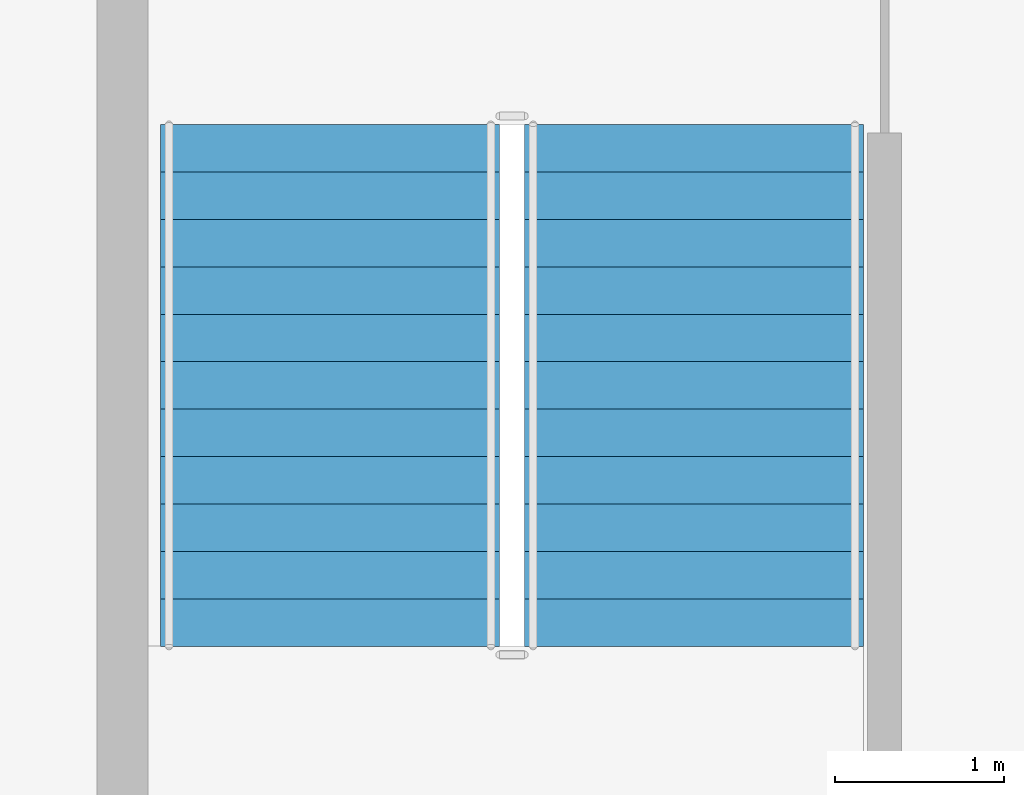
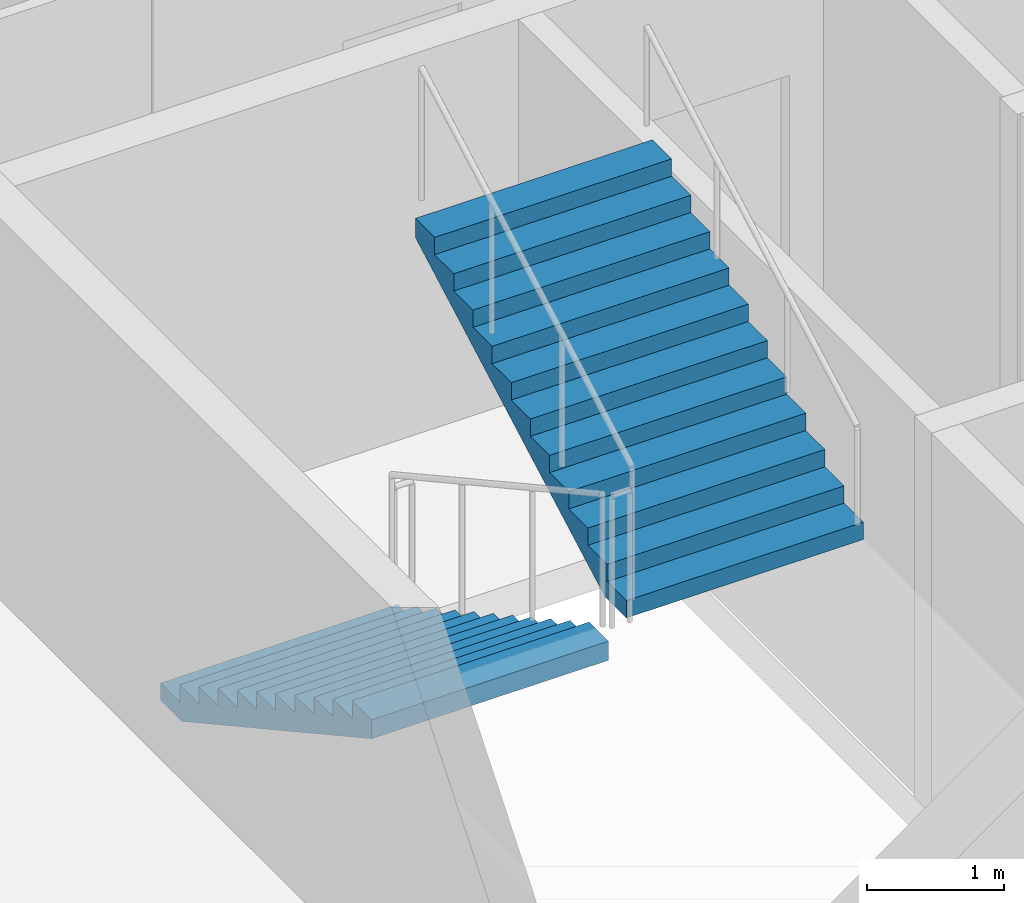
# One storey, part 7 of 11: 2 stair flights, 1 element without a shape of its own.
"""IFC4 building model written with IfcOpenShell, lengths in metres."""

from ifc_helpers import new_model, si_unit, direction, frame, origin, place, context, subcontext, project, spatial, polygons, material, type_object, element, aggregate, save


model = new_model("IFC4")

# Units and contexts
model_context = context("Model", 3, precision=1e-05, world=origin(), true_north=direction((0.0, 1.0)))
body_context = subcontext(model_context, "Body", "Model", "MODEL_VIEW")
ifc_project = project(units=[si_unit("LENGTHUNIT", "METRE"), si_unit("AREAUNIT", "SQUARE_METRE"), si_unit("VOLUMEUNIT", "CUBIC_METRE"), si_unit("PLANEANGLEUNIT", "RADIAN"), si_unit("MASSUNIT", "GRAM", prefix="KILO")], contexts=[model_context])

# Site, building, storey
site_placement = place(None, origin())
site = spatial("IfcSite", under=ifc_project, at=site_placement, CompositionType="ELEMENT")
building_placement = place(site_placement, origin())
building = spatial("IfcBuilding", under=site, at=building_placement, Name="Caravel Reach Hotel and Residences", CompositionType="ELEMENT")
storey_placement = place(building_placement, frame((0.0, 0.0, 287.10009765625)))
storey = spatial("IfcBuildingStorey", under=building, at=storey_placement, Name="L73", CompositionType="ELEMENT", Elevation=287.10009765625)

# Stair, stair flights
ifc_material_1 = material(Name="Concrete C40", Category="concrete")
stair_type = type_object("IfcStairType", Name="Core stair", PredefinedType="HALF_TURN_STAIR", material=ifc_material_1)
stair_placement = place(storey_placement, origin())
stair = element("IfcStair", 1, at=stair_placement, inside=storey, type_object=stair_type, Name="L73 Exit stair A", PredefinedType="HALF_TURN_STAIR")
ifc_material_2 = material(Name="Concrete C40", Category="concrete")
stair_flight_type = type_object("IfcStairFlightType", Name="Core stair flight", PredefinedType="STRAIGHT", material=ifc_material_2)
stair_flight_1_placement = place(storey_placement, frame((19.22509765625, 29.35009765625, 0.0), z_axis=(0.0, 0.0, 1.0), x_axis=(0.0, -1.0, 0.0)))
stair_flight_1 = element("IfcStairFlight", 2, at=stair_flight_1_placement, type_object=stair_flight_type, Name="ST-A flight 1", NumberOfRisers=12, NumberOfTreads=11, PredefinedType="STRAIGHT", RiserHeight=0.154166667, TreadLength=0.28, context=body_context, shape_type="Tessellation", body=[
    polygons([(0.3107950034306102, 1.0, 0.0), (0.3107950034306102, 0.6666666666666667, 0.0), (0.3107950034306102, 0.33333333333333337, 0.0), (0.3107950034306102, 0.0, 0.0), (0.3107950034306102, -0.33333333333333326, 0.0), (0.3107950034306102, -0.6666666666666667, 0.0), (0.3107950034306102, -1.0, 0.0), (3.081, 1.0, 1.524711087717319), (3.081, 0.6666666666666667, 1.524711087717319), (3.081, 0.33333333333333337, 1.524711087717319), (3.081, 0.0, 1.524711087717319), (3.081, -0.33333333333333326, 1.524711087717319), (3.081, -0.6666666666666667, 1.524711087717319), (3.081, -1.0, 1.524711087717319), (3.081, 1.0, 1.695833337), (3.081, 0.6666666666666667, 1.695833337), (3.081, 0.33333333333333337, 1.695833337), (3.081, 0.0, 1.695833337), (3.081, -0.33333333333333326, 1.695833337), (3.081, -0.6666666666666667, 1.695833337), (3.081, -1.0, 1.695833337), (2.8000000000000003, 1.0, 1.695833337), (2.8000000000000003, 0.6666666666666667, 1.695833337), (2.8000000000000003, 0.33333333333333337, 1.695833337), (2.8000000000000003, 0.0, 1.695833337), (2.8000000000000003, -0.33333333333333326, 1.695833337), (2.8000000000000003, -0.6666666666666667, 1.695833337), (2.8000000000000003, -1.0, 1.695833337), (2.8000000000000003, 1.0, 1.5416666700000001), (2.8000000000000003, 0.6666666666666667, 1.5416666700000001), (2.8000000000000003, 0.33333333333333337, 1.5416666700000001), (2.8000000000000003, 0.0, 1.5416666700000001), (2.8000000000000003, -0.33333333333333326, 1.5416666700000001), (2.8000000000000003, -0.6666666666666667, 1.5416666700000001), (2.8000000000000003, -1.0, 1.5416666700000001), (2.5200000000000005, 1.0, 1.5416666700000001), (2.5200000000000005, 0.6666666666666667, 1.5416666700000001), (2.5200000000000005, 0.33333333333333337, 1.5416666700000001), (2.5200000000000005, 0.0, 1.5416666700000001), (2.5200000000000005, -0.33333333333333326, 1.5416666700000001), (2.5200000000000005, -0.6666666666666667, 1.5416666700000001), (2.5200000000000005, -1.0, 1.5416666700000001), (2.5200000000000005, 1.0, 1.387500003), (2.5200000000000005, 0.6666666666666667, 1.387500003), (2.5200000000000005, 0.33333333333333337, 1.387500003), (2.5200000000000005, 0.0, 1.387500003), (2.5200000000000005, -0.33333333333333326, 1.387500003), (2.5200000000000005, -0.6666666666666667, 1.387500003), (2.5200000000000005, -1.0, 1.387500003), (2.24, 1.0, 1.387500003), (2.24, 0.6666666666666667, 1.387500003), (2.24, 0.33333333333333337, 1.387500003), (2.24, 0.0, 1.387500003), (2.24, -0.33333333333333326, 1.387500003), (2.24, -0.6666666666666667, 1.387500003), (2.24, -1.0, 1.387500003), (2.24, 1.0, 1.233333336), (2.24, 0.6666666666666667, 1.233333336), (2.24, 0.33333333333333337, 1.233333336), (2.24, 0.0, 1.233333336), (2.24, -0.33333333333333326, 1.233333336), (2.24, -0.6666666666666667, 1.233333336), (2.24, -1.0, 1.233333336), (1.9600000000000002, 1.0, 1.233333336), (1.9600000000000002, 0.6666666666666667, 1.233333336), (1.9600000000000002, 0.33333333333333337, 1.233333336), (1.9600000000000002, 0.0, 1.233333336), (1.9600000000000002, -0.33333333333333326, 1.233333336), (1.9600000000000002, -0.6666666666666667, 1.233333336), (1.9600000000000002, -1.0, 1.233333336), (1.9600000000000002, 1.0, 1.0791666690000001), (1.9600000000000002, 0.6666666666666667, 1.0791666690000001), (1.9600000000000002, 0.33333333333333337, 1.0791666690000001), (1.9600000000000002, 0.0, 1.0791666690000001), (1.9600000000000002, -0.33333333333333326, 1.0791666690000001), (1.9600000000000002, -0.6666666666666667, 1.0791666690000001), (1.9600000000000002, -1.0, 1.0791666690000001), (1.6800000000000002, 1.0, 1.0791666690000001), (1.6800000000000002, 0.6666666666666667, 1.0791666690000001), (1.6800000000000002, 0.33333333333333337, 1.0791666690000001), (1.6800000000000002, 0.0, 1.0791666690000001), (1.6800000000000002, -0.33333333333333326, 1.0791666690000001), (1.6800000000000002, -0.6666666666666667, 1.0791666690000001), (1.6800000000000002, -1.0, 1.0791666690000001), (1.6800000000000002, 1.0, 0.925000002), (1.6800000000000002, 0.6666666666666667, 0.925000002), (1.6800000000000002, 0.33333333333333337, 0.925000002), (1.6800000000000002, 0.0, 0.925000002), (1.6800000000000002, -0.33333333333333326, 0.925000002), (1.6800000000000002, -0.6666666666666667, 0.925000002), (1.6800000000000002, -1.0, 0.925000002), (1.4000000000000001, 1.0, 0.925000002), (1.4000000000000001, 0.6666666666666667, 0.925000002), (1.4000000000000001, 0.33333333333333337, 0.925000002), (1.4000000000000001, 0.0, 0.925000002), (1.4000000000000001, -0.33333333333333326, 0.925000002), (1.4000000000000001, -0.6666666666666667, 0.925000002), (1.4000000000000001, -1.0, 0.925000002), (1.4000000000000001, 1.0, 0.7708333350000001), (1.4000000000000001, 0.6666666666666667, 0.7708333350000001), (1.4000000000000001, 0.33333333333333337, 0.7708333350000001), (1.4000000000000001, 0.0, 0.7708333350000001), (1.4000000000000001, -0.33333333333333326, 0.7708333350000001), (1.4000000000000001, -0.6666666666666667, 0.7708333350000001), (1.4000000000000001, -1.0, 0.7708333350000001), (1.12, 1.0, 0.7708333350000001), (1.12, 0.6666666666666667, 0.7708333350000001), (1.12, 0.33333333333333337, 0.7708333350000001), (1.12, 0.0, 0.7708333350000001), (1.12, -0.33333333333333326, 0.7708333350000001), (1.12, -0.6666666666666667, 0.7708333350000001), (1.12, -1.0, 0.7708333350000001), (1.12, 1.0, 0.616666668), (1.12, 0.6666666666666667, 0.616666668), (1.12, 0.33333333333333337, 0.616666668), (1.12, 0.0, 0.616666668), (1.12, -0.33333333333333326, 0.616666668), (1.12, -0.6666666666666667, 0.616666668), (1.12, -1.0, 0.616666668), (0.8400000000000001, 1.0, 0.616666668), (0.8400000000000001, 0.6666666666666667, 0.616666668), (0.8400000000000001, 0.33333333333333337, 0.616666668), (0.8400000000000001, 0.0, 0.616666668), (0.8400000000000001, -0.33333333333333326, 0.616666668), (0.8400000000000001, -0.6666666666666667, 0.616666668), (0.8400000000000001, -1.0, 0.616666668), (0.8400000000000001, 1.0, 0.462500001), (0.8400000000000001, 0.6666666666666667, 0.462500001), (0.8400000000000001, 0.33333333333333337, 0.462500001), (0.8400000000000001, 0.0, 0.462500001), (0.8400000000000001, -0.33333333333333326, 0.462500001), (0.8400000000000001, -0.6666666666666667, 0.462500001), (0.8400000000000001, -1.0, 0.462500001), (0.56, 1.0, 0.462500001), (0.56, 0.6666666666666667, 0.462500001), (0.56, 0.33333333333333337, 0.462500001), (0.56, 0.0, 0.462500001), (0.56, -0.33333333333333326, 0.462500001), (0.56, -0.6666666666666667, 0.462500001), (0.56, -1.0, 0.462500001), (0.56, 1.0, 0.308333334), (0.56, 0.6666666666666667, 0.308333334), (0.56, 0.33333333333333337, 0.308333334), (0.56, 0.0, 0.308333334), (0.56, -0.33333333333333326, 0.308333334), (0.56, -0.6666666666666667, 0.308333334), (0.56, -1.0, 0.308333334), (0.28, 1.0, 0.308333334), (0.28, 0.6666666666666667, 0.308333334), (0.28, 0.33333333333333337, 0.308333334), (0.28, 0.0, 0.308333334), (0.28, -0.33333333333333326, 0.308333334), (0.28, -0.6666666666666667, 0.308333334), (0.28, -1.0, 0.308333334), (0.28, 1.0, 0.154166667), (0.28, 0.6666666666666667, 0.154166667), (0.28, 0.33333333333333337, 0.154166667), (0.28, 0.0, 0.154166667), (0.28, -0.33333333333333326, 0.154166667), (0.28, -0.6666666666666667, 0.154166667), (0.28, -1.0, 0.154166667), (-0.001, 1.0, 0.154166667), (-0.001, 0.6666666666666667, 0.154166667), (-0.001, 0.33333333333333337, 0.154166667), (-0.001, 0.0, 0.154166667), (-0.001, -0.33333333333333326, 0.154166667), (-0.001, -0.6666666666666667, 0.154166667), (-0.001, -1.0, 0.154166667), (-0.001, 1.0, 0.0), (-0.001, 0.6666666666666667, 0.0), (-0.001, 0.33333333333333337, 0.0), (-0.001, 0.0, 0.0), (-0.001, -0.33333333333333326, 0.0), (-0.001, -0.6666666666666667, 0.0), (-0.001, -1.0, 0.0)], [[[169, 162, 155, 148, 141, 134, 127, 120, 113, 106, 99, 92, 85, 78, 71, 64, 57, 50, 43, 36, 29, 22, 15, 8, 1]], [[7, 14, 21, 28, 35, 42, 49, 56, 63, 70, 77, 84, 91, 98, 105, 112, 119, 126, 133, 140, 147, 154, 161, 168, 175]], [[1, 8, 9, 2]], [[2, 9, 10, 3]], [[3, 10, 11, 4]], [[4, 11, 12, 5]], [[5, 12, 13, 6]], [[6, 13, 14, 7]], [[8, 15, 16, 9]], [[9, 16, 17, 10]], [[10, 17, 18, 11]], [[11, 18, 19, 12]], [[12, 19, 20, 13]], [[13, 20, 21, 14]], [[15, 22, 23, 16]], [[16, 23, 24, 17]], [[17, 24, 25, 18]], [[18, 25, 26, 19]], [[19, 26, 27, 20]], [[20, 27, 28, 21]], [[22, 29, 30, 23]], [[23, 30, 31, 24]], [[24, 31, 32, 25]], [[25, 32, 33, 26]], [[26, 33, 34, 27]], [[27, 34, 35, 28]], [[29, 36, 37, 30]], [[30, 37, 38, 31]], [[31, 38, 39, 32]], [[32, 39, 40, 33]], [[33, 40, 41, 34]], [[34, 41, 42, 35]], [[36, 43, 44, 37]], [[37, 44, 45, 38]], [[38, 45, 46, 39]], [[39, 46, 47, 40]], [[40, 47, 48, 41]], [[41, 48, 49, 42]], [[43, 50, 51, 44]], [[44, 51, 52, 45]], [[45, 52, 53, 46]], [[46, 53, 54, 47]], [[47, 54, 55, 48]], [[48, 55, 56, 49]], [[50, 57, 58, 51]], [[51, 58, 59, 52]], [[52, 59, 60, 53]], [[53, 60, 61, 54]], [[54, 61, 62, 55]], [[55, 62, 63, 56]], [[57, 64, 65, 58]], [[58, 65, 66, 59]], [[59, 66, 67, 60]], [[60, 67, 68, 61]], [[61, 68, 69, 62]], [[62, 69, 70, 63]], [[64, 71, 72, 65]], [[65, 72, 73, 66]], [[66, 73, 74, 67]], [[67, 74, 75, 68]], [[68, 75, 76, 69]], [[69, 76, 77, 70]], [[71, 78, 79, 72]], [[72, 79, 80, 73]], [[73, 80, 81, 74]], [[74, 81, 82, 75]], [[75, 82, 83, 76]], [[76, 83, 84, 77]], [[78, 85, 86, 79]], [[79, 86, 87, 80]], [[80, 87, 88, 81]], [[81, 88, 89, 82]], [[82, 89, 90, 83]], [[83, 90, 91, 84]], [[85, 92, 93, 86]], [[86, 93, 94, 87]], [[87, 94, 95, 88]], [[88, 95, 96, 89]], [[89, 96, 97, 90]], [[90, 97, 98, 91]], [[92, 99, 100, 93]], [[93, 100, 101, 94]], [[94, 101, 102, 95]], [[95, 102, 103, 96]], [[96, 103, 104, 97]], [[97, 104, 105, 98]], [[99, 106, 107, 100]], [[100, 107, 108, 101]], [[101, 108, 109, 102]], [[102, 109, 110, 103]], [[103, 110, 111, 104]], [[104, 111, 112, 105]], [[106, 113, 114, 107]], [[107, 114, 115, 108]], [[108, 115, 116, 109]], [[109, 116, 117, 110]], [[110, 117, 118, 111]], [[111, 118, 119, 112]], [[113, 120, 121, 114]], [[114, 121, 122, 115]], [[115, 122, 123, 116]], [[116, 123, 124, 117]], [[117, 124, 125, 118]], [[118, 125, 126, 119]], [[120, 127, 128, 121]], [[121, 128, 129, 122]], [[122, 129, 130, 123]], [[123, 130, 131, 124]], [[124, 131, 132, 125]], [[125, 132, 133, 126]], [[127, 134, 135, 128]], [[128, 135, 136, 129]], [[129, 136, 137, 130]], [[130, 137, 138, 131]], [[131, 138, 139, 132]], [[132, 139, 140, 133]], [[134, 141, 142, 135]], [[135, 142, 143, 136]], [[136, 143, 144, 137]], [[137, 144, 145, 138]], [[138, 145, 146, 139]], [[139, 146, 147, 140]], [[141, 148, 149, 142]], [[142, 149, 150, 143]], [[143, 150, 151, 144]], [[144, 151, 152, 145]], [[145, 152, 153, 146]], [[146, 153, 154, 147]], [[148, 155, 156, 149]], [[149, 156, 157, 150]], [[150, 157, 158, 151]], [[151, 158, 159, 152]], [[152, 159, 160, 153]], [[153, 160, 161, 154]], [[155, 162, 163, 156]], [[156, 163, 164, 157]], [[157, 164, 165, 158]], [[158, 165, 166, 159]], [[159, 166, 167, 160]], [[160, 167, 168, 161]], [[162, 169, 170, 163]], [[163, 170, 171, 164]], [[164, 171, 172, 165]], [[165, 172, 173, 166]], [[166, 173, 174, 167]], [[167, 174, 175, 168]], [[169, 1, 2, 170]], [[170, 2, 3, 171]], [[171, 3, 4, 172]], [[172, 4, 5, 173]], [[173, 5, 6, 174]], [[174, 6, 7, 175]]], closed=True),
])
stair_flight_2_placement = place(storey_placement, frame((21.375, 26.27001953125, 1.849853515625), z_axis=(0.0, 0.0, 1.0), x_axis=(0.0, 1.0, 0.0)))
stair_flight_2 = element("IfcStairFlight", 3, at=stair_flight_2_placement, type_object=stair_flight_type, Name="ST-A flight 2", NumberOfRisers=12, NumberOfTreads=11, PredefinedType="STRAIGHT", RiserHeight=0.154166667, TreadLength=0.28, context=body_context, shape_type="Tessellation", body=[
    polygons([(0.3107950034306102, 1.0, 0.0), (0.3107950034306102, 0.6666666666666667, 0.0), (0.3107950034306102, 0.33333333333333337, 0.0), (0.3107950034306102, 0.0, 0.0), (0.3107950034306102, -0.33333333333333326, 0.0), (0.3107950034306102, -0.6666666666666667, 0.0), (0.3107950034306102, -1.0, 0.0), (3.081, 1.0, 1.524711087717319), (3.081, 0.6666666666666667, 1.524711087717319), (3.081, 0.33333333333333337, 1.524711087717319), (3.081, 0.0, 1.524711087717319), (3.081, -0.33333333333333326, 1.524711087717319), (3.081, -0.6666666666666667, 1.524711087717319), (3.081, -1.0, 1.524711087717319), (3.081, 1.0, 1.695833337), (3.081, 0.6666666666666667, 1.695833337), (3.081, 0.33333333333333337, 1.695833337), (3.081, 0.0, 1.695833337), (3.081, -0.33333333333333326, 1.695833337), (3.081, -0.6666666666666667, 1.695833337), (3.081, -1.0, 1.695833337), (2.8000000000000003, 1.0, 1.695833337), (2.8000000000000003, 0.6666666666666667, 1.695833337), (2.8000000000000003, 0.33333333333333337, 1.695833337), (2.8000000000000003, 0.0, 1.695833337), (2.8000000000000003, -0.33333333333333326, 1.695833337), (2.8000000000000003, -0.6666666666666667, 1.695833337), (2.8000000000000003, -1.0, 1.695833337), (2.8000000000000003, 1.0, 1.5416666700000001), (2.8000000000000003, 0.6666666666666667, 1.5416666700000001), (2.8000000000000003, 0.33333333333333337, 1.5416666700000001), (2.8000000000000003, 0.0, 1.5416666700000001), (2.8000000000000003, -0.33333333333333326, 1.5416666700000001), (2.8000000000000003, -0.6666666666666667, 1.5416666700000001), (2.8000000000000003, -1.0, 1.5416666700000001), (2.5200000000000005, 1.0, 1.5416666700000001), (2.5200000000000005, 0.6666666666666667, 1.5416666700000001), (2.5200000000000005, 0.33333333333333337, 1.5416666700000001), (2.5200000000000005, 0.0, 1.5416666700000001), (2.5200000000000005, -0.33333333333333326, 1.5416666700000001), (2.5200000000000005, -0.6666666666666667, 1.5416666700000001), (2.5200000000000005, -1.0, 1.5416666700000001), (2.5200000000000005, 1.0, 1.387500003), (2.5200000000000005, 0.6666666666666667, 1.387500003), (2.5200000000000005, 0.33333333333333337, 1.387500003), (2.5200000000000005, 0.0, 1.387500003), (2.5200000000000005, -0.33333333333333326, 1.387500003), (2.5200000000000005, -0.6666666666666667, 1.387500003), (2.5200000000000005, -1.0, 1.387500003), (2.24, 1.0, 1.387500003), (2.24, 0.6666666666666667, 1.387500003), (2.24, 0.33333333333333337, 1.387500003), (2.24, 0.0, 1.387500003), (2.24, -0.33333333333333326, 1.387500003), (2.24, -0.6666666666666667, 1.387500003), (2.24, -1.0, 1.387500003), (2.24, 1.0, 1.233333336), (2.24, 0.6666666666666667, 1.233333336), (2.24, 0.33333333333333337, 1.233333336), (2.24, 0.0, 1.233333336), (2.24, -0.33333333333333326, 1.233333336), (2.24, -0.6666666666666667, 1.233333336), (2.24, -1.0, 1.233333336), (1.9600000000000002, 1.0, 1.233333336), (1.9600000000000002, 0.6666666666666667, 1.233333336), (1.9600000000000002, 0.33333333333333337, 1.233333336), (1.9600000000000002, 0.0, 1.233333336), (1.9600000000000002, -0.33333333333333326, 1.233333336), (1.9600000000000002, -0.6666666666666667, 1.233333336), (1.9600000000000002, -1.0, 1.233333336), (1.9600000000000002, 1.0, 1.0791666690000001), (1.9600000000000002, 0.6666666666666667, 1.0791666690000001), (1.9600000000000002, 0.33333333333333337, 1.0791666690000001), (1.9600000000000002, 0.0, 1.0791666690000001), (1.9600000000000002, -0.33333333333333326, 1.0791666690000001), (1.9600000000000002, -0.6666666666666667, 1.0791666690000001), (1.9600000000000002, -1.0, 1.0791666690000001), (1.6800000000000002, 1.0, 1.0791666690000001), (1.6800000000000002, 0.6666666666666667, 1.0791666690000001), (1.6800000000000002, 0.33333333333333337, 1.0791666690000001), (1.6800000000000002, 0.0, 1.0791666690000001), (1.6800000000000002, -0.33333333333333326, 1.0791666690000001), (1.6800000000000002, -0.6666666666666667, 1.0791666690000001), (1.6800000000000002, -1.0, 1.0791666690000001), (1.6800000000000002, 1.0, 0.925000002), (1.6800000000000002, 0.6666666666666667, 0.925000002), (1.6800000000000002, 0.33333333333333337, 0.925000002), (1.6800000000000002, 0.0, 0.925000002), (1.6800000000000002, -0.33333333333333326, 0.925000002), (1.6800000000000002, -0.6666666666666667, 0.925000002), (1.6800000000000002, -1.0, 0.925000002), (1.4000000000000001, 1.0, 0.925000002), (1.4000000000000001, 0.6666666666666667, 0.925000002), (1.4000000000000001, 0.33333333333333337, 0.925000002), (1.4000000000000001, 0.0, 0.925000002), (1.4000000000000001, -0.33333333333333326, 0.925000002), (1.4000000000000001, -0.6666666666666667, 0.925000002), (1.4000000000000001, -1.0, 0.925000002), (1.4000000000000001, 1.0, 0.7708333350000001), (1.4000000000000001, 0.6666666666666667, 0.7708333350000001), (1.4000000000000001, 0.33333333333333337, 0.7708333350000001), (1.4000000000000001, 0.0, 0.7708333350000001), (1.4000000000000001, -0.33333333333333326, 0.7708333350000001), (1.4000000000000001, -0.6666666666666667, 0.7708333350000001), (1.4000000000000001, -1.0, 0.7708333350000001), (1.12, 1.0, 0.7708333350000001), (1.12, 0.6666666666666667, 0.7708333350000001), (1.12, 0.33333333333333337, 0.7708333350000001), (1.12, 0.0, 0.7708333350000001), (1.12, -0.33333333333333326, 0.7708333350000001), (1.12, -0.6666666666666667, 0.7708333350000001), (1.12, -1.0, 0.7708333350000001), (1.12, 1.0, 0.616666668), (1.12, 0.6666666666666667, 0.616666668), (1.12, 0.33333333333333337, 0.616666668), (1.12, 0.0, 0.616666668), (1.12, -0.33333333333333326, 0.616666668), (1.12, -0.6666666666666667, 0.616666668), (1.12, -1.0, 0.616666668), (0.8400000000000001, 1.0, 0.616666668), (0.8400000000000001, 0.6666666666666667, 0.616666668), (0.8400000000000001, 0.33333333333333337, 0.616666668), (0.8400000000000001, 0.0, 0.616666668), (0.8400000000000001, -0.33333333333333326, 0.616666668), (0.8400000000000001, -0.6666666666666667, 0.616666668), (0.8400000000000001, -1.0, 0.616666668), (0.8400000000000001, 1.0, 0.462500001), (0.8400000000000001, 0.6666666666666667, 0.462500001), (0.8400000000000001, 0.33333333333333337, 0.462500001), (0.8400000000000001, 0.0, 0.462500001), (0.8400000000000001, -0.33333333333333326, 0.462500001), (0.8400000000000001, -0.6666666666666667, 0.462500001), (0.8400000000000001, -1.0, 0.462500001), (0.56, 1.0, 0.462500001), (0.56, 0.6666666666666667, 0.462500001), (0.56, 0.33333333333333337, 0.462500001), (0.56, 0.0, 0.462500001), (0.56, -0.33333333333333326, 0.462500001), (0.56, -0.6666666666666667, 0.462500001), (0.56, -1.0, 0.462500001), (0.56, 1.0, 0.308333334), (0.56, 0.6666666666666667, 0.308333334), (0.56, 0.33333333333333337, 0.308333334), (0.56, 0.0, 0.308333334), (0.56, -0.33333333333333326, 0.308333334), (0.56, -0.6666666666666667, 0.308333334), (0.56, -1.0, 0.308333334), (0.28, 1.0, 0.308333334), (0.28, 0.6666666666666667, 0.308333334), (0.28, 0.33333333333333337, 0.308333334), (0.28, 0.0, 0.308333334), (0.28, -0.33333333333333326, 0.308333334), (0.28, -0.6666666666666667, 0.308333334), (0.28, -1.0, 0.308333334), (0.28, 1.0, 0.154166667), (0.28, 0.6666666666666667, 0.154166667), (0.28, 0.33333333333333337, 0.154166667), (0.28, 0.0, 0.154166667), (0.28, -0.33333333333333326, 0.154166667), (0.28, -0.6666666666666667, 0.154166667), (0.28, -1.0, 0.154166667), (-0.001, 1.0, 0.154166667), (-0.001, 0.6666666666666667, 0.154166667), (-0.001, 0.33333333333333337, 0.154166667), (-0.001, 0.0, 0.154166667), (-0.001, -0.33333333333333326, 0.154166667), (-0.001, -0.6666666666666667, 0.154166667), (-0.001, -1.0, 0.154166667), (-0.001, 1.0, 0.0), (-0.001, 0.6666666666666667, 0.0), (-0.001, 0.33333333333333337, 0.0), (-0.001, 0.0, 0.0), (-0.001, -0.33333333333333326, 0.0), (-0.001, -0.6666666666666667, 0.0), (-0.001, -1.0, 0.0)], [[[169, 162, 155, 148, 141, 134, 127, 120, 113, 106, 99, 92, 85, 78, 71, 64, 57, 50, 43, 36, 29, 22, 15, 8, 1]], [[7, 14, 21, 28, 35, 42, 49, 56, 63, 70, 77, 84, 91, 98, 105, 112, 119, 126, 133, 140, 147, 154, 161, 168, 175]], [[1, 8, 9, 2]], [[2, 9, 10, 3]], [[3, 10, 11, 4]], [[4, 11, 12, 5]], [[5, 12, 13, 6]], [[6, 13, 14, 7]], [[8, 15, 16, 9]], [[9, 16, 17, 10]], [[10, 17, 18, 11]], [[11, 18, 19, 12]], [[12, 19, 20, 13]], [[13, 20, 21, 14]], [[15, 22, 23, 16]], [[16, 23, 24, 17]], [[17, 24, 25, 18]], [[18, 25, 26, 19]], [[19, 26, 27, 20]], [[20, 27, 28, 21]], [[22, 29, 30, 23]], [[23, 30, 31, 24]], [[24, 31, 32, 25]], [[25, 32, 33, 26]], [[26, 33, 34, 27]], [[27, 34, 35, 28]], [[29, 36, 37, 30]], [[30, 37, 38, 31]], [[31, 38, 39, 32]], [[32, 39, 40, 33]], [[33, 40, 41, 34]], [[34, 41, 42, 35]], [[36, 43, 44, 37]], [[37, 44, 45, 38]], [[38, 45, 46, 39]], [[39, 46, 47, 40]], [[40, 47, 48, 41]], [[41, 48, 49, 42]], [[43, 50, 51, 44]], [[44, 51, 52, 45]], [[45, 52, 53, 46]], [[46, 53, 54, 47]], [[47, 54, 55, 48]], [[48, 55, 56, 49]], [[50, 57, 58, 51]], [[51, 58, 59, 52]], [[52, 59, 60, 53]], [[53, 60, 61, 54]], [[54, 61, 62, 55]], [[55, 62, 63, 56]], [[57, 64, 65, 58]], [[58, 65, 66, 59]], [[59, 66, 67, 60]], [[60, 67, 68, 61]], [[61, 68, 69, 62]], [[62, 69, 70, 63]], [[64, 71, 72, 65]], [[65, 72, 73, 66]], [[66, 73, 74, 67]], [[67, 74, 75, 68]], [[68, 75, 76, 69]], [[69, 76, 77, 70]], [[71, 78, 79, 72]], [[72, 79, 80, 73]], [[73, 80, 81, 74]], [[74, 81, 82, 75]], [[75, 82, 83, 76]], [[76, 83, 84, 77]], [[78, 85, 86, 79]], [[79, 86, 87, 80]], [[80, 87, 88, 81]], [[81, 88, 89, 82]], [[82, 89, 90, 83]], [[83, 90, 91, 84]], [[85, 92, 93, 86]], [[86, 93, 94, 87]], [[87, 94, 95, 88]], [[88, 95, 96, 89]], [[89, 96, 97, 90]], [[90, 97, 98, 91]], [[92, 99, 100, 93]], [[93, 100, 101, 94]], [[94, 101, 102, 95]], [[95, 102, 103, 96]], [[96, 103, 104, 97]], [[97, 104, 105, 98]], [[99, 106, 107, 100]], [[100, 107, 108, 101]], [[101, 108, 109, 102]], [[102, 109, 110, 103]], [[103, 110, 111, 104]], [[104, 111, 112, 105]], [[106, 113, 114, 107]], [[107, 114, 115, 108]], [[108, 115, 116, 109]], [[109, 116, 117, 110]], [[110, 117, 118, 111]], [[111, 118, 119, 112]], [[113, 120, 121, 114]], [[114, 121, 122, 115]], [[115, 122, 123, 116]], [[116, 123, 124, 117]], [[117, 124, 125, 118]], [[118, 125, 126, 119]], [[120, 127, 128, 121]], [[121, 128, 129, 122]], [[122, 129, 130, 123]], [[123, 130, 131, 124]], [[124, 131, 132, 125]], [[125, 132, 133, 126]], [[127, 134, 135, 128]], [[128, 135, 136, 129]], [[129, 136, 137, 130]], [[130, 137, 138, 131]], [[131, 138, 139, 132]], [[132, 139, 140, 133]], [[134, 141, 142, 135]], [[135, 142, 143, 136]], [[136, 143, 144, 137]], [[137, 144, 145, 138]], [[138, 145, 146, 139]], [[139, 146, 147, 140]], [[141, 148, 149, 142]], [[142, 149, 150, 143]], [[143, 150, 151, 144]], [[144, 151, 152, 145]], [[145, 152, 153, 146]], [[146, 153, 154, 147]], [[148, 155, 156, 149]], [[149, 156, 157, 150]], [[150, 157, 158, 151]], [[151, 158, 159, 152]], [[152, 159, 160, 153]], [[153, 160, 161, 154]], [[155, 162, 163, 156]], [[156, 163, 164, 157]], [[157, 164, 165, 158]], [[158, 165, 166, 159]], [[159, 166, 167, 160]], [[160, 167, 168, 161]], [[162, 169, 170, 163]], [[163, 170, 171, 164]], [[164, 171, 172, 165]], [[165, 172, 173, 166]], [[166, 173, 174, 167]], [[167, 174, 175, 168]], [[169, 1, 2, 170]], [[170, 2, 3, 171]], [[171, 3, 4, 172]], [[172, 4, 5, 173]], [[173, 5, 6, 174]], [[174, 6, 7, 175]]], closed=True),
])
aggregate(stair, [stair_flight_1, stair_flight_2])

save(model, "model.ifc")
